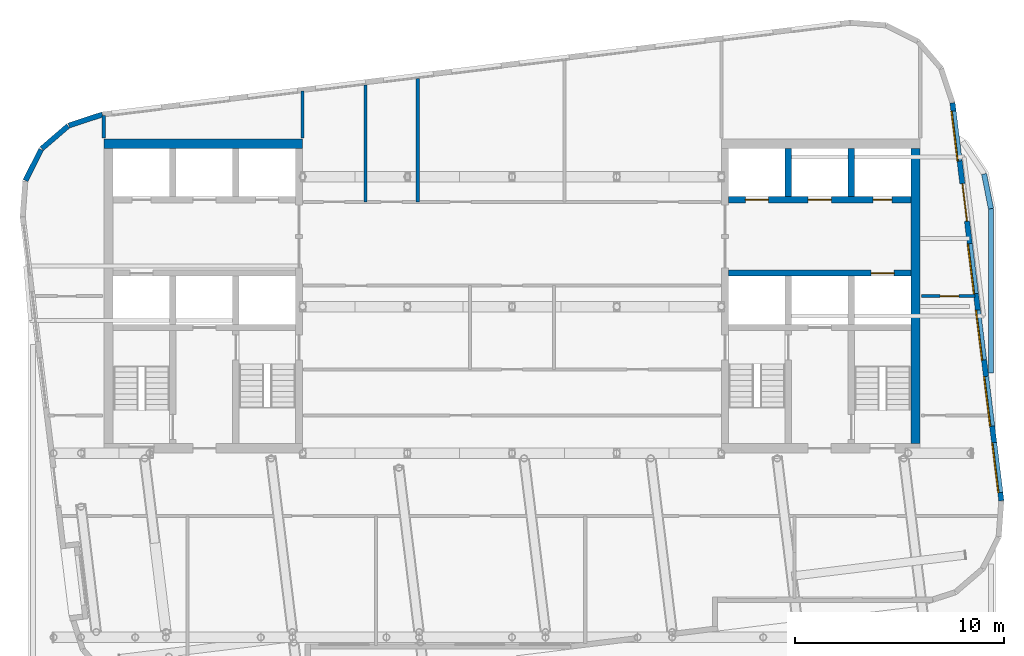
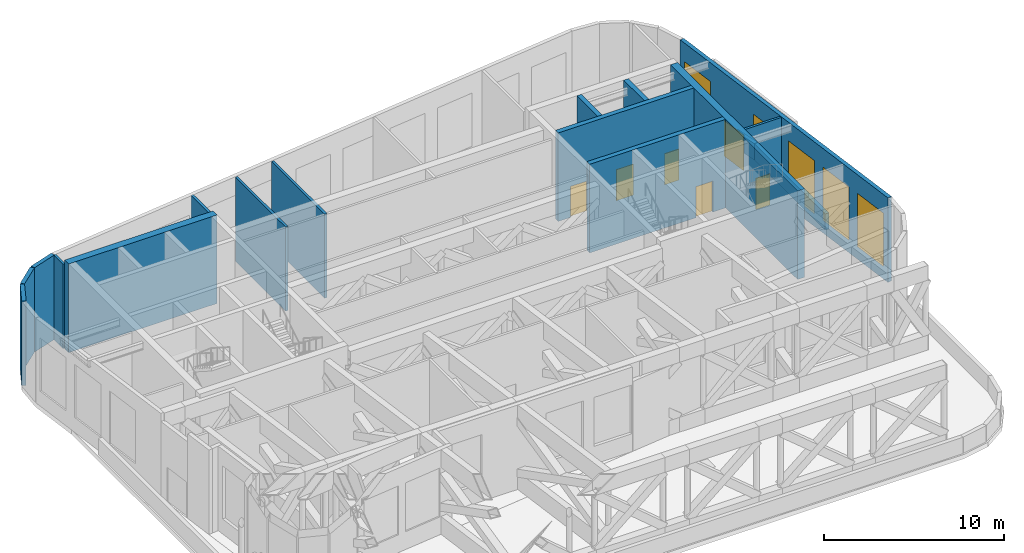
# One storey, part 12 of 16: 17 walls, 6 doors, 5 windows, 11 openings.
"""IFC4 building model written with IfcOpenShell, lengths in metres."""

from ifc_helpers import new_model, si_unit, direction, frame, frame_2d, origin, place, context, subcontext, project, spatial, rectangle, extrude, material, layer, layer_set, type_object, element, fill, save


model = new_model("IFC4")

# Units and contexts
model_context = context("Model", 3, precision=1e-05, world=origin(), true_north=direction((0.0, 1.0)))
body_context = subcontext(model_context, "Body", "Model", "MODEL_VIEW")
ifc_project = project(units=[si_unit("LENGTHUNIT", "METRE"), si_unit("AREAUNIT", "SQUARE_METRE"), si_unit("VOLUMEUNIT", "CUBIC_METRE"), si_unit("PLANEANGLEUNIT", "RADIAN"), si_unit("MASSUNIT", "GRAM", prefix="KILO")], contexts=[model_context])

# Site, building, storey
site_placement = place(None, origin())
site = spatial("IfcSite", under=ifc_project, at=site_placement, CompositionType="ELEMENT")
building_placement = place(site_placement, origin())
building = spatial("IfcBuilding", under=site, at=building_placement, Name="Torana Hotel and Residences", CompositionType="ELEMENT")
storey_placement = place(building_placement, frame((0.0, 0.0, 308.60009765625)))
storey = spatial("IfcBuildingStorey", under=building, at=storey_placement, Name="L82", CompositionType="ELEMENT", Elevation=308.60009765625)

# Wall, openings, doors
ifc_material_1 = material(Name="Concrete C60/75", Category="concrete")
ifc_layer_1 = layer(ifc_material_1, 0.300048828125)
ifc_layer_set_1 = layer_set([ifc_layer_1], Name="CORE WALL 300 C60/75")
wall_type_1 = type_object("IfcWallType", Name="CORE WALL 300 C60/75", PredefinedType="SHEAR", material=ifc_layer_set_1)
wall_1_placement = place(storey_placement, frame((10.35009765625, -2.89990234375, 0.0), z_axis=(0.0, 0.0, 1.0), x_axis=(1.0, 0.0, 0.0)))
wall_1 = element("IfcWall", 1, at=wall_1_placement, inside=storey, type_object=wall_type_1, Name="Core wall E row-N", PredefinedType="SHEAR", context=body_context, shape_type="SweptSolid", body=[
    extrude(rectangle(XDim=8.699951171875, YDim=0.300048828125, at=frame_2d((4.35009765625, 0.0))), origin(), (0.0, 0.0, 1.0), 6.0),
])
opening_1_placement = place(wall_1_placement, frame((0.800048828125, 0.0, 0.0)))
opening_1 = element("IfcOpeningElement", 2, at=opening_1_placement, cuts=wall_1, Name="Opening LD", PredefinedType="OPENING", context=body_context, shape_type="SweptSolid", body=[
    extrude(rectangle(XDim=1.10009765625, YDim=2.10009765625, at=frame_2d((0.550048828125, 1.050048828125))), frame((0.0, 0.159912109375, 0.0), z_axis=(0.0, -1.0, 0.0), x_axis=(1.0, 0.0, 0.0)), (0.0, 0.0, 1.0), 0.320068359375),
])
opening_2_placement = place(wall_1_placement, frame((3.800048828125, 0.0, 0.0)))
opening_2 = element("IfcOpeningElement", 3, at=opening_2_placement, cuts=wall_1, Name="Opening LD", PredefinedType="OPENING", context=body_context, shape_type="SweptSolid", body=[
    extrude(rectangle(XDim=1.10009765625, YDim=2.10009765625, at=frame_2d((0.550048828125, 1.050048828125))), frame((0.0, 0.159912109375, 0.0), z_axis=(0.0, -1.0, 0.0), x_axis=(1.0, 0.0, 0.0)), (0.0, 0.0, 1.0), 0.320068359375),
])
opening_3_placement = place(wall_1_placement, frame((6.89990234375, 0.0, 0.0)))
opening_3 = element("IfcOpeningElement", 4, at=opening_3_placement, cuts=wall_1, Name="Opening L82-14", PredefinedType="OPENING", context=body_context, shape_type="SweptSolid", body=[
    extrude(rectangle(XDim=0.89990234375, YDim=2.10009765625, at=frame_2d((0.449951171875, 1.050048828125))), frame((0.0, 0.159912109375, 0.0), z_axis=(0.0, -1.0, 0.0), x_axis=(1.0, 0.0, 0.0)), (0.0, 0.0, 1.0), 0.320068359375),
])
ifc_material_2 = material(Name="Stainless steel 316", Category="steel")
door_type_1 = type_object("IfcDoorType", Name="LIFT LANDING DOOR LD 1100x2100", OperationType="DOUBLE_DOOR_SLIDING", PredefinedType="USERDEFINED", material=ifc_material_2)
door_1_placement = place(opening_1_placement, origin())
door_1 = element("IfcDoor", 5, at=door_1_placement, inside=storey, type_object=door_type_1, Name="Lift landing door H3 L82", ObjectType="LIFT LANDING DOOR", OperationType="DOUBLE_DOOR_SLIDING", OverallHeight=2.10009765625, OverallWidth=1.10009765625, PredefinedType="USERDEFINED", context=body_context, shape_type="SweptSolid", body=[
    extrude(rectangle(XDim=1.10009765625, YDim=2.10009765625, at=frame_2d((0.550048828125, 1.050048828125))), frame((0.0, 0.02490234375, 0.0), z_axis=(0.0, -1.0, 0.0), x_axis=(1.0, 0.0, 0.0)), (0.0, 0.0, 1.0), 0.050048828125),
])
fill(opening_1, door_1)
door_2_placement = place(opening_2_placement, origin())
door_2 = element("IfcDoor", 6, at=door_2_placement, inside=storey, type_object=door_type_1, Name="Lift landing door H4 L82", ObjectType="LIFT LANDING DOOR", OperationType="DOUBLE_DOOR_SLIDING", OverallHeight=2.10009765625, OverallWidth=1.10009765625, PredefinedType="USERDEFINED", context=body_context, shape_type="SweptSolid", body=[
    extrude(rectangle(XDim=1.10009765625, YDim=2.10009765625, at=frame_2d((0.550048828125, 1.050048828125))), frame((0.0, 0.02490234375, 0.0), z_axis=(0.0, -1.0, 0.0), x_axis=(1.0, 0.0, 0.0)), (0.0, 0.0, 1.0), 0.050048828125),
])
fill(opening_2, door_2)
ifc_material_3 = material(Name="Steel S235", Category="steel")
door_type_2 = type_object("IfcDoorType", Name="RISER ACCESS DOOR D5 900x2100", OperationType="SINGLE_SWING_LEFT", PredefinedType="DOOR", material=ifc_material_3)
door_3_placement = place(opening_3_placement, origin())
door_3 = element("IfcDoor", 7, at=door_3_placement, inside=storey, type_object=door_type_2, Name="N2 door L82", OperationType="SINGLE_SWING_RIGHT", OverallHeight=2.10009765625, OverallWidth=0.89990234375, PredefinedType="DOOR", context=body_context, shape_type="SweptSolid", body=[
    extrude(rectangle(XDim=0.89990234375, YDim=2.10009765625, at=frame_2d((0.449951171875, 1.050048828125))), frame((0.0, 0.02490234375, 0.0), z_axis=(0.0, -1.0, 0.0), x_axis=(1.0, 0.0, 0.0)), (0.0, 0.0, 1.0), 0.050048828125),
])
fill(opening_3, door_3)

# Wall, opening, door
wall_2_placement = place(storey_placement, frame((10.35009765625, -6.39990234375, 0.0), z_axis=(0.0, 0.0, 1.0), x_axis=(1.0, 0.0, 0.0)))
wall_2 = element("IfcWall", 8, at=wall_2_placement, inside=storey, type_object=wall_type_1, Name="Core wall E row-S", PredefinedType="SHEAR", context=body_context, shape_type="SweptSolid", body=[
    extrude(rectangle(XDim=8.699951171875, YDim=0.300048828125, at=frame_2d((4.35009765625, 0.0))), origin(), (0.0, 0.0, 1.0), 6.0),
])
opening_4_placement = place(wall_2_placement, frame((6.800048828125, 0.0, 0.0)))
opening_4 = element("IfcOpeningElement", 9, at=opening_4_placement, cuts=wall_2, Name="Opening LD", PredefinedType="OPENING", context=body_context, shape_type="SweptSolid", body=[
    extrude(rectangle(XDim=1.10009765625, YDim=2.10009765625, at=frame_2d((0.550048828125, 1.050048828125))), frame((0.0, 0.159912109375, 0.0), z_axis=(0.0, -1.0, 0.0), x_axis=(1.0, 0.0, 0.0)), (0.0, 0.0, 1.0), 0.320068359375),
])
door_4_placement = place(opening_4_placement, origin())
door_4 = element("IfcDoor", 10, at=door_4_placement, inside=storey, type_object=door_type_1, Name="Lift landing door SV2 L82", ObjectType="LIFT LANDING DOOR", OperationType="DOUBLE_DOOR_SLIDING", OverallHeight=2.10009765625, OverallWidth=1.10009765625, PredefinedType="USERDEFINED", context=body_context, shape_type="SweptSolid", body=[
    extrude(rectangle(XDim=1.10009765625, YDim=2.10009765625, at=frame_2d((0.550048828125, 1.050048828125))), frame((0.0, 0.02490234375, 0.0), z_axis=(0.0, -1.0, 0.0), x_axis=(1.0, 0.0, 0.0)), (0.0, 0.0, 1.0), 0.050048828125),
])
fill(opening_4, door_4)

# Walls
for number, where, z_axis, x_axis, name in (
    (11, (13.199951171875, -2.75, 0.0), (0.0, 0.0, 1.0), (0.0, 1.0, 0.0), "Core wall E x3.05-N"),
    (12, (16.199951171875, -2.75, 0.0), (0.0, 0.0, 1.0), (0.0, 1.0, 0.0), "Core wall E x6.05-N"),
):
    element("IfcWall", number, at=place(storey_placement, frame(where, z_axis=z_axis, x_axis=x_axis)), inside=storey, type_object=wall_type_1, Name=name, PredefinedType="SHEAR", context=body_context, shape_type="SweptSolid", body=[
        extrude(rectangle(XDim=2.300048828125, YDim=0.300048828125, at=frame_2d((1.14990234375, 0.0))), origin(), (0.0, 0.0, 1.0), 6.0),
    ])
ifc_material_4 = material(Name="Concrete C60/75", Category="concrete")
ifc_layer_2 = layer(ifc_material_4, 0.449951171875)
ifc_layer_set_2 = layer_set([ifc_layer_2], Name="CORE WALL 450 C60/75")
wall_type_2 = type_object("IfcWallType", Name="CORE WALL 450 C60/75", PredefinedType="SHEAR", material=ifc_layer_set_2)
wall_3_placement = place(storey_placement, frame((-19.5, -0.22509765625, 0.0), z_axis=(0.0, 0.0, 1.0), x_axis=(1.0, 0.0, 0.0)))
element("IfcWall", 13, at=wall_3_placement, inside=storey, type_object=wall_type_2, Name="Core wall W rear", PredefinedType="SHEAR", context=body_context, shape_type="SweptSolid", body=[
    extrude(rectangle(XDim=9.5, YDim=0.449951171875, at=frame_2d((4.75, 0.0))), origin(), (0.0, 0.0, 1.0), 6.0),
])
wall_4_placement = place(storey_placement, frame((19.27490234375, -14.550048828125, 0.0), z_axis=(0.0, 0.0, 1.0), x_axis=(0.0, 1.0, 0.0)))
element("IfcWall", 14, at=wall_4_placement, inside=storey, type_object=wall_type_2, Name="Core wall E outer", PredefinedType="SHEAR", context=body_context, shape_type="SweptSolid", body=[
    extrude(rectangle(XDim=14.10009765625, YDim=0.449951171875, at=frame_2d((7.050048828125, 0.0))), origin(), (0.0, 0.0, 1.0), 6.0),
])
ifc_material_5 = material(Name="Aluminium louvre wall", Category="aluminium")
ifc_layer_3 = layer(ifc_material_5, 0.25)
ifc_layer_set_3 = layer_set([ifc_layer_3], Name="EW3 LOUVRE WALL 250")
wall_type_3 = type_object("IfcWallType", Name="EW3 LOUVRE WALL 250", PredefinedType="SOLIDWALL", material=ifc_layer_set_3)
wall_5_placement = place(storey_placement, frame((-19.568359375, 1.1748046875, 0.0), z_axis=(0.0, 0.0, 1.0), x_axis=(-0.949694735798, -0.313177120489, 0.0)))
element("IfcWall", 15, at=wall_5_placement, inside=storey, type_object=wall_type_3, Name="Louvre wall L82 e0.5", PredefinedType="SOLIDWALL", context=body_context, shape_type="SweptSolid", body=[
    extrude(rectangle(XDim=1.681396484375, YDim=0.25, at=frame_2d((0.8408203125, 0.0))), origin(), (0.0, 0.0, 1.0), 5.719970703125),
])
wall_6_placement = place(storey_placement, frame((-21.207763671875, 0.624267578125, 0.0), z_axis=(0.0, 0.0, 1.0), x_axis=(-0.757568315466, -0.652755886531, 0.0)))
element("IfcWall", 16, at=wall_6_placement, inside=storey, type_object=wall_type_3, Name="Louvre wall L82 e0.6", PredefinedType="SOLIDWALL", context=body_context, shape_type="SweptSolid", body=[
    extrude(rectangle(XDim=1.65625, YDim=0.25, at=frame_2d((0.828125, 0.0))), origin(), (0.0, 0.0, 1.0), 5.719970703125),
])
wall_7_placement = place(storey_placement, frame((-22.49267578125, -0.495361328125, 0.0), z_axis=(0.0, 0.0, 1.0), x_axis=(-0.449982385812, -0.893037430604, 0.0)))
element("IfcWall", 17, at=wall_7_placement, inside=storey, type_object=wall_type_3, Name="Louvre wall L82 e0.7", PredefinedType="SOLIDWALL", context=body_context, shape_type="SweptSolid", body=[
    extrude(rectangle(XDim=1.656494140625, YDim=0.25, at=frame_2d((0.828125, 0.0))), origin(), (0.0, 0.0, 1.0), 5.719970703125),
])

# Wall, openings, door, windows
wall_8_placement = place(storey_placement, frame((23.375, -17.277099609375, 0.0), z_axis=(0.0, 0.0, 1.0), x_axis=(-0.121862878281, 0.992546945437, 0.0)))
wall_8 = element("IfcWall", 18, at=wall_8_placement, inside=storey, type_object=wall_type_3, Name="Louvre wall L82 e0.19", PredefinedType="SOLIDWALL", context=body_context, shape_type="SweptSolid", body=[
    extrude(rectangle(XDim=19.150634765625, YDim=0.25, at=frame_2d((9.5751953125, 0.0))), origin(), (0.0, 0.0, 1.0), 5.719970703125),
])
opening_5_placement = place(wall_8_placement, frame((0.39599609375, 0.0, 0.85791015625)))
opening_5 = element("IfcOpeningElement", 19, at=opening_5_placement, cuts=wall_8, Name="Opening LV2", PredefinedType="OPENING", context=body_context, shape_type="SweptSolid", body=[
    extrude(rectangle(XDim=2.39990234375, YDim=3.60009765625, at=frame_2d((1.199951171875, 1.800048828125))), frame((0.0, 0.135009765625, 0.0), z_axis=(0.0, -1.0, 0.0), x_axis=(1.0, 0.0, 0.0)), (0.0, 0.0, 1.0), 0.27001953125),
])
opening_6_placement = place(wall_8_placement, frame((3.587646484375, 0.0, 0.85791015625)))
opening_6 = element("IfcOpeningElement", 20, at=opening_6_placement, cuts=wall_8, Name="Opening LV2", PredefinedType="OPENING", context=body_context, shape_type="SweptSolid", body=[
    extrude(rectangle(XDim=2.39990234375, YDim=3.60009765625, at=frame_2d((1.199951171875, 1.800048828125))), frame((0.0, 0.135009765625, 0.0), z_axis=(0.0, -1.0, 0.0), x_axis=(1.0, 0.0, 0.0)), (0.0, 0.0, 1.0), 0.27001953125),
])
opening_7_placement = place(wall_8_placement, frame((6.779541015625, 0.0, 0.85791015625)))
opening_7 = element("IfcOpeningElement", 21, at=opening_7_placement, cuts=wall_8, Name="Opening LV2", PredefinedType="OPENING", context=body_context, shape_type="SweptSolid", body=[
    extrude(rectangle(XDim=2.39990234375, YDim=3.60009765625, at=frame_2d((1.199951171875, 1.800048828125))), frame((0.0, 0.135009765625, 0.0), z_axis=(0.0, -1.0, 0.0), x_axis=(1.0, 0.0, 0.0)), (0.0, 0.0, 1.0), 0.27001953125),
])
opening_8_placement = place(wall_8_placement, frame((9.97119140625, 0.0, 0.85791015625)))
opening_8 = element("IfcOpeningElement", 22, at=opening_8_placement, cuts=wall_8, Name="Opening LV2", PredefinedType="OPENING", context=body_context, shape_type="SweptSolid", body=[
    extrude(rectangle(XDim=2.39990234375, YDim=3.60009765625, at=frame_2d((1.199951171875, 1.800048828125))), frame((0.0, 0.135009765625, 0.0), z_axis=(0.0, -1.0, 0.0), x_axis=(1.0, 0.0, 0.0)), (0.0, 0.0, 1.0), 0.27001953125),
])
opening_9_placement = place(wall_8_placement, frame((13.463134765625, 0.0, 0.0)))
opening_9 = element("IfcOpeningElement", 23, at=opening_9_placement, cuts=wall_8, Name="Opening L82-E02", PredefinedType="OPENING", context=body_context, shape_type="SweptSolid", body=[
    extrude(rectangle(XDim=1.800048828125, YDim=2.39990234375, at=frame_2d((0.89990234375, 1.199951171875))), frame((0.0, 0.135009765625, 0.0), z_axis=(0.0, -1.0, 0.0), x_axis=(1.0, 0.0, 0.0)), (0.0, 0.0, 1.0), 0.27001953125),
])
opening_10_placement = place(wall_8_placement, frame((16.35498046875, 0.0, 0.85791015625)))
opening_10 = element("IfcOpeningElement", 24, at=opening_10_placement, cuts=wall_8, Name="Opening LV2", PredefinedType="OPENING", context=body_context, shape_type="SweptSolid", body=[
    extrude(rectangle(XDim=2.39990234375, YDim=3.60009765625, at=frame_2d((1.199951171875, 1.800048828125))), frame((0.0, 0.135009765625, 0.0), z_axis=(0.0, -1.0, 0.0), x_axis=(1.0, 0.0, 0.0)), (0.0, 0.0, 1.0), 0.27001953125),
])
ifc_material_6 = material(Name="Dark glass in black aluminium frame", Category="aluminium")
door_type_3 = type_object("IfcDoorType", Name="DE2 TERRACE DOOR 1800x2400", OperationType="DOUBLE_DOOR_SINGLE_SWING", PredefinedType="DOOR", material=ifc_material_6)
door_5_placement = place(opening_9_placement, origin())
door_5 = element("IfcDoor", 25, at=door_5_placement, inside=storey, type_object=door_type_3, Name="Terrace door L82", OperationType="DOUBLE_DOOR_SINGLE_SWING", OverallHeight=2.39990234375, OverallWidth=1.800048828125, PredefinedType="DOOR", context=body_context, shape_type="SweptSolid", body=[
    extrude(rectangle(XDim=1.800048828125, YDim=2.39990234375, at=frame_2d((0.89990234375, 1.199951171875))), frame((0.0, 0.02490234375, 0.0), z_axis=(0.0, -1.0, 0.0), x_axis=(1.0, 0.0, 0.0)), (0.0, 0.0, 1.0), 0.050048828125),
])
fill(opening_9, door_5)
ifc_material_7 = material(Name="Aluminium louvre blades", Category="aluminium")
window_type = type_object("IfcWindowType", Name="LV2 LOUVRE 2400x3600", PartitioningType="SINGLE_PANEL", PredefinedType="USERDEFINED", material=ifc_material_7)
window_1_placement = place(opening_5_placement, origin())
window_1 = element("IfcWindow", 26, at=window_1_placement, inside=storey, type_object=window_type, Name="Louvre L82", ObjectType="LOUVRE", OverallHeight=3.60009765625, OverallWidth=2.39990234375, PartitioningType="SINGLE_PANEL", PredefinedType="USERDEFINED", context=body_context, shape_type="SweptSolid", body=[
    extrude(rectangle(XDim=2.39990234375, YDim=3.60009765625, at=frame_2d((1.199951171875, 1.800048828125))), frame((0.0, 0.125, 0.0), z_axis=(0.0, -1.0, 0.0), x_axis=(1.0, 0.0, 0.0)), (0.0, 0.0, 1.0), 0.06005859375),
])
fill(opening_5, window_1)
window_2_placement = place(opening_6_placement, origin())
window_2 = element("IfcWindow", 27, at=window_2_placement, inside=storey, type_object=window_type, Name="Louvre L82", ObjectType="LOUVRE", OverallHeight=3.60009765625, OverallWidth=2.39990234375, PartitioningType="SINGLE_PANEL", PredefinedType="USERDEFINED", context=body_context, shape_type="SweptSolid", body=[
    extrude(rectangle(XDim=2.39990234375, YDim=3.60009765625, at=frame_2d((1.199951171875, 1.800048828125))), frame((0.0, 0.125, 0.0), z_axis=(0.0, -1.0, 0.0), x_axis=(1.0, 0.0, 0.0)), (0.0, 0.0, 1.0), 0.06005859375),
])
fill(opening_6, window_2)
window_3_placement = place(opening_7_placement, origin())
window_3 = element("IfcWindow", 28, at=window_3_placement, inside=storey, type_object=window_type, Name="Louvre L82", ObjectType="LOUVRE", OverallHeight=3.60009765625, OverallWidth=2.39990234375, PartitioningType="SINGLE_PANEL", PredefinedType="USERDEFINED", context=body_context, shape_type="SweptSolid", body=[
    extrude(rectangle(XDim=2.39990234375, YDim=3.60009765625, at=frame_2d((1.199951171875, 1.800048828125))), frame((0.0, 0.125, 0.0), z_axis=(0.0, -1.0, 0.0), x_axis=(1.0, 0.0, 0.0)), (0.0, 0.0, 1.0), 0.06005859375),
])
fill(opening_7, window_3)
window_4_placement = place(opening_8_placement, origin())
window_4 = element("IfcWindow", 29, at=window_4_placement, inside=storey, type_object=window_type, Name="Louvre L82", ObjectType="LOUVRE", OverallHeight=3.60009765625, OverallWidth=2.39990234375, PartitioningType="SINGLE_PANEL", PredefinedType="USERDEFINED", context=body_context, shape_type="SweptSolid", body=[
    extrude(rectangle(XDim=2.39990234375, YDim=3.60009765625, at=frame_2d((1.199951171875, 1.800048828125))), frame((0.0, 0.125, 0.0), z_axis=(0.0, -1.0, 0.0), x_axis=(1.0, 0.0, 0.0)), (0.0, 0.0, 1.0), 0.06005859375),
])
fill(opening_8, window_4)
window_5_placement = place(opening_10_placement, origin())
window_5 = element("IfcWindow", 30, at=window_5_placement, inside=storey, type_object=window_type, Name="Louvre L82", ObjectType="LOUVRE", OverallHeight=3.60009765625, OverallWidth=2.39990234375, PartitioningType="SINGLE_PANEL", PredefinedType="USERDEFINED", context=body_context, shape_type="SweptSolid", body=[
    extrude(rectangle(XDim=2.39990234375, YDim=3.60009765625, at=frame_2d((1.199951171875, 1.800048828125))), frame((0.0, 0.125, 0.0), z_axis=(0.0, -1.0, 0.0), x_axis=(1.0, 0.0, 0.0)), (0.0, 0.0, 1.0), 0.06005859375),
])
fill(opening_10, window_5)

# Wall
ifc_material_8 = material(Name="Gypsum plasterboard")
ifc_layer_4 = layer(ifc_material_8, 0.012451171875, Name="Plasterboard", Category="finish")
ifc_layer_5 = layer(ifc_material_8, 0.012451171875, Name="Plasterboard", Category="finish")
ifc_material_9 = material(Name="Steel S280GD", Category="steel")
ifc_layer_6 = layer(ifc_material_9, 0.10009765625, Name="Steel studs with mineral wool", Category="insulation")
ifc_layer_7 = layer(ifc_material_8, 0.012451171875, Name="Plasterboard", Category="finish")
ifc_layer_8 = layer(ifc_material_8, 0.012451171875, Name="Plasterboard", Category="finish")
ifc_layer_set_4 = layer_set([ifc_layer_4, ifc_layer_5, ifc_layer_6, ifc_layer_7, ifc_layer_8], Name="PARTITION 150 PLASTERBOARD")
wall_type_4 = type_object("IfcWallType", Name="PARTITION 150 PLASTERBOARD", PredefinedType="PARTITIONING", material=ifc_layer_set_4)
wall_9_placement = place(storey_placement, frame((-19.5, 0.050048828125, 0.0), z_axis=(0.0, 0.0, 1.0), x_axis=(0.0, 1.0, 0.0)))
element("IfcWall", 31, at=wall_9_placement, inside=storey, type_object=wall_type_4, Name="Partition L82", PredefinedType="PARTITIONING", context=body_context, shape_type="SweptSolid", body=[
    extrude(rectangle(XDim=1.080322265625, YDim=0.14990234375, at=frame_2d((0.5400390625, 0.0))), origin(), (0.0, 0.0, 1.0), 5.699951171875),
])

# Wall, opening, door
wall_10_placement = place(storey_placement, frame((19.550048828125, -7.5, 0.0), z_axis=(0.0, 0.0, 1.0), x_axis=(1.0, 0.0, 0.0)))
wall_10 = element("IfcWall", 32, at=wall_10_placement, inside=storey, type_object=wall_type_4, Name="Partition L82", PredefinedType="PARTITIONING", context=body_context, shape_type="SweptSolid", body=[
    extrude(rectangle(XDim=2.569091796875, YDim=0.14990234375, at=frame_2d((1.28466796875, 0.0))), origin(), (0.0, 0.0, 1.0), 5.699951171875),
])
opening_11_placement = place(wall_10_placement, frame((0.90087890625, 0.0, 0.0)))
opening_11 = element("IfcOpeningElement", 33, at=opening_11_placement, cuts=wall_10, Name="Opening L82-34", PredefinedType="OPENING", context=body_context, shape_type="SweptSolid", body=[
    extrude(rectangle(XDim=0.89990234375, YDim=2.10009765625, at=frame_2d((0.449951171875, 1.050048828125))), frame((0.0, 0.0849609375, 0.0), z_axis=(0.0, -1.0, 0.0), x_axis=(1.0, 0.0, 0.0)), (0.0, 0.0, 1.0), 0.169921875),
])
ifc_material_10 = material(Name="Timber door, oiled ash", Category="wood")
door_type_4 = type_object("IfcDoorType", Name="ROOM DOOR D7 900x2100", OperationType="SINGLE_SWING_LEFT", PredefinedType="DOOR", material=ifc_material_10)
door_6_placement = place(opening_11_placement, origin())
door_6 = element("IfcDoor", 34, at=door_6_placement, inside=storey, type_object=door_type_4, Name="Door L82", OperationType="SINGLE_SWING_LEFT", OverallHeight=2.10009765625, OverallWidth=0.89990234375, PredefinedType="DOOR", context=body_context, shape_type="SweptSolid", body=[
    extrude(rectangle(XDim=0.89990234375, YDim=2.10009765625, at=frame_2d((0.449951171875, 1.050048828125))), frame((0.0, 0.02490234375, 0.0), z_axis=(0.0, -1.0, 0.0), x_axis=(1.0, 0.0, 0.0)), (0.0, 0.0, 1.0), 0.050048828125),
])
fill(opening_11, door_6)

# Walls
ifc_material_11 = material(Name="Aluminium coping with drip", Category="aluminium")
ifc_layer_9 = layer(ifc_material_11, 0.0029296875, Name="Coping flashing", Category="flashing")
ifc_material_12 = material(Name="Concrete C40/50 precast", Category="concrete")
ifc_layer_10 = layer(ifc_material_12, 0.00390625, Name="Cladding", Category="cladding")
ifc_material_13 = material(Name="Concrete C40/50", Category="concrete")
ifc_layer_11 = layer(ifc_material_13, 0.199951171875, Name="Wall", Category="structure")
ifc_material_14 = material(Name="Mineral wool insulation")
ifc_layer_12 = layer(ifc_material_14, 0.0400390625, Name="Insulation", Category="insulation")
ifc_material_15 = material(Name="Waterproofing upstand")
ifc_layer_13 = layer(ifc_material_15, 0.0029296875, Name="Upstand membrane", Category="membrane")
ifc_layer_set_5 = layer_set([ifc_layer_9, ifc_layer_10, ifc_layer_11, ifc_layer_12, ifc_layer_13], Name="PP1 PARAPET 250")
wall_type_5 = type_object("IfcWallType", Name="PP1 PARAPET 250", PredefinedType="PARAPET", material=ifc_layer_set_5)
wall_11_placement = place(storey_placement, frame((22.55029296875, -1.663818359375, 0.0), z_axis=(0.0, 0.0, 1.0), x_axis=(0.194977246893, -0.980807765668, 0.0)))
element("IfcWall", 35, at=wall_11_placement, inside=storey, type_object=wall_type_5, Name="Roof parapet L82 2", PredefinedType="PARAPET", context=body_context, shape_type="SweptSolid", body=[
    extrude(rectangle(XDim=1.6904296875, YDim=0.25, at=frame_2d((0.84521484375, 0.0))), origin(), (0.0, 0.0, 1.0), 1.099853515625),
])
wall_12_placement = place(storey_placement, frame((22.8798828125, -3.32177734375, 0.0), z_axis=(0.0, 0.0, 1.0), x_axis=(0.0, -1.0, 0.0)))
element("IfcWall", 36, at=wall_12_placement, inside=storey, type_object=wall_type_5, Name="Roof parapet L82 3", PredefinedType="PARAPET", context=body_context, shape_type="SweptSolid", body=[
    extrude(rectangle(XDim=7.855224609375, YDim=0.25, at=frame_2d((3.927734375, 0.0))), origin(), (0.0, 0.0, 1.0), 1.099853515625),
])
ifc_material_16 = material(Name="Ceramic tile on adhesive")
ifc_layer_14 = layer(ifc_material_16, 0.010009765625, Name="Wall tile", Category="finish")
ifc_material_17 = material(Name="Cement render")
ifc_layer_15 = layer(ifc_material_17, 0.010009765625, Name="Render", Category="finish")
ifc_material_18 = material(Name="Concrete blockwork", Category="masonry")
ifc_layer_16 = layer(ifc_material_18, 0.110107421875, Name="Blockwork", Category="structure")
ifc_layer_17 = layer(ifc_material_17, 0.010009765625, Name="Render", Category="finish")
ifc_layer_18 = layer(ifc_material_16, 0.010009765625, Name="Wall tile", Category="finish")
ifc_layer_set_6 = layer_set([ifc_layer_14, ifc_layer_15, ifc_layer_16, ifc_layer_17, ifc_layer_18], Name="WC PARTITION 150")
wall_type_6 = type_object("IfcWallType", Name="WC PARTITION 150", PredefinedType="PLUMBINGWALL", material=ifc_layer_set_6)
wall_13_placement = place(storey_placement, frame((-4.5, -3.0, 0.0), z_axis=(0.0, 0.0, 1.0), x_axis=(0.0, 1.0, 0.0)))
element("IfcWall", 37, at=wall_13_placement, inside=storey, type_object=wall_type_6, Name="Partition L82", PredefinedType="PLUMBINGWALL", context=body_context, shape_type="SweptSolid", body=[
    extrude(rectangle(XDim=5.889404296875, YDim=0.14990234375, at=frame_2d((2.94482421875, 0.0))), origin(), (0.0, 0.0, 1.0), 5.699951171875),
])
wall_14_placement = place(storey_placement, frame((-7.0, -3.0, 0.0), z_axis=(0.0, 0.0, 1.0), x_axis=(0.0, 1.0, 0.0)))
element("IfcWall", 38, at=wall_14_placement, inside=storey, type_object=wall_type_6, Name="Partition L82", PredefinedType="PLUMBINGWALL", context=body_context, shape_type="SweptSolid", body=[
    extrude(rectangle(XDim=5.58251953125, YDim=0.14990234375, at=frame_2d((2.791259765625, 0.0))), origin(), (0.0, 0.0, 1.0), 5.699951171875),
])
wall_15_placement = place(storey_placement, frame((-10.0, 0.050048828125, 0.0), z_axis=(0.0, 0.0, 1.0), x_axis=(0.0, 1.0, 0.0)))
element("IfcWall", 39, at=wall_15_placement, inside=storey, type_object=wall_type_6, Name="Partition L82", PredefinedType="PLUMBINGWALL", context=body_context, shape_type="SweptSolid", body=[
    extrude(rectangle(XDim=2.24658203125, YDim=0.14990234375, at=frame_2d((1.123291015625, 0.0))), origin(), (0.0, 0.0, 1.0), 5.699951171875),
])

save(model, "model.ifc")
